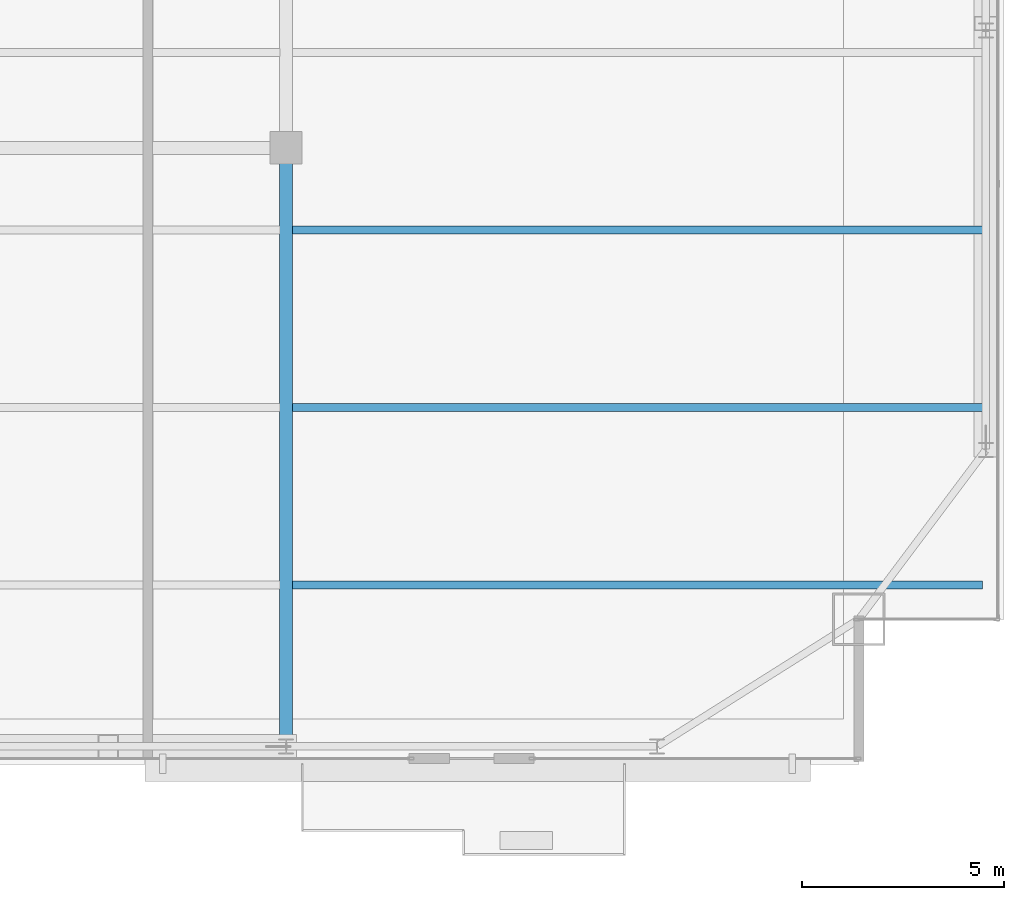
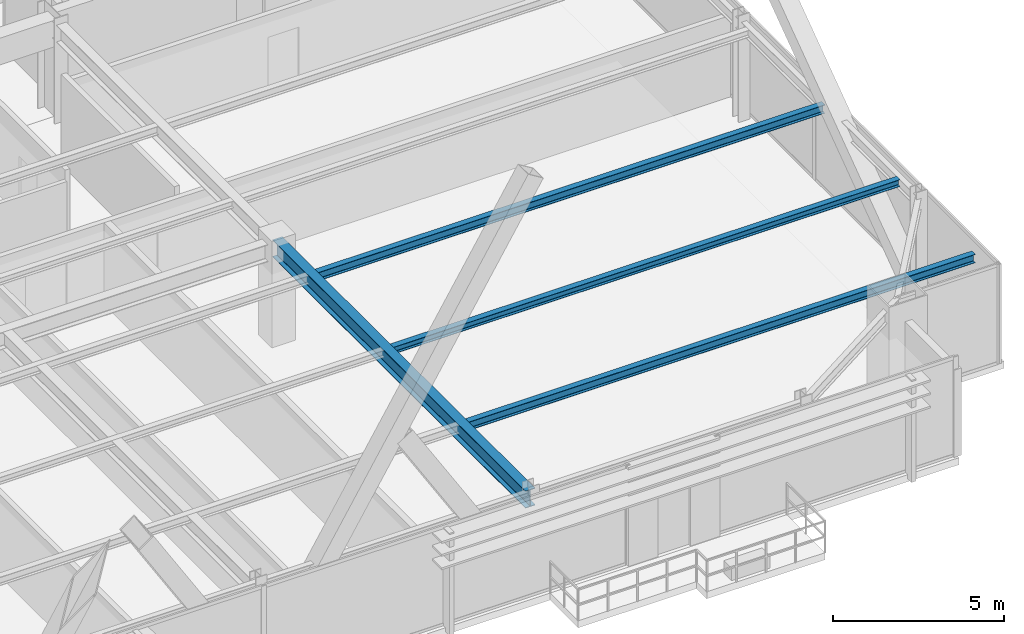
# One storey, part 15 of 34: 4 beams.
"""IFC4 building model written with IfcOpenShell, lengths in metres."""

import ifcopenshell
import ifcopenshell.guid

model = None  # the IFC model being written
_history = None  # IfcOwnerHistory: only IFC2X3 demands one
_inside = {}  # id of a spatial element -> (the spatial element, [elements in it])
_under = {}  # id of a project, library or spatial element -> (it, [spatial elements below it])
_declared = {}  # id of a project -> (the project, [libraries it declares])
_typed = {}  # id of a type object -> (the type object, [elements of that type])
_made_of = {}  # id of a material, layer set ... -> (it, [elements and type objects made of it])


def new_model(schema):
    """Start an empty IFC model of exactly this schema.

    Asked for "IFC4X3", IfcOpenShell would pick the latest addendum, in which some entities
    have other attributes; the version numbers below select the first issue.
    IFC2X3 requires an IfcOwnerHistory on every rooted entity: one is made here for all.
    """
    global model, _history
    if schema == "IFC4X3":
        model = ifcopenshell.file(schema_version=(4, 3, 0, 0))
    else:
        model = ifcopenshell.file(schema=schema)
    _inside.clear()
    _under.clear()
    _declared.clear()
    _typed.clear()
    _made_of.clear()
    _history = None
    if model.schema == "IFC2X3":
        org = make("IfcOrganization", Name="unknown")
        user = make(
            "IfcPersonAndOrganization",
            ThePerson=make("IfcPerson", FamilyName="unknown"),
            TheOrganization=org,
        )
        app = make(
            "IfcApplication",
            ApplicationDeveloper=org,
            Version="unknown",
            ApplicationFullName="unknown",
            ApplicationIdentifier="unknown",
        )
        _history = make(
            "IfcOwnerHistory",
            OwningUser=user,
            OwningApplication=app,
            ChangeAction="ADDED",
            CreationDate=0,
        )
    return model


def make(cls, **values):
    """One entity of the class cls with the attributes given. An attribute that is None is left unset."""
    return model.create_entity(
        cls, **{name: value for name, value in values.items() if value is not None}
    )


def rooted(cls, **values):
    """An entity with a GlobalId (a new one), such as an element, a storey or a relation."""
    return make(cls, GlobalId=ifcopenshell.guid.new(), OwnerHistory=_history, **values)


def si_unit(unit_type, name, prefix=None):
    """IfcSIUnit, for example si_unit("LENGTHUNIT", "METRE", prefix="MILLI")."""
    return make("IfcSIUnit", UnitType=unit_type, Prefix=prefix, Name=name)


def assignment(units):
    """IfcUnitAssignment: the units of a project."""
    return None if units is None else make("IfcUnitAssignment", Units=units)


def point(xyz):
    """IfcCartesianPoint."""
    return None if xyz is None else make("IfcCartesianPoint", Coordinates=xyz)


def direction(xyz):
    """IfcDirection."""
    return None if xyz is None else make("IfcDirection", DirectionRatios=xyz)


def frame(location, z_axis=None, x_axis=None):
    """IfcAxis2Placement3D, a coordinate frame: its origin and axes. An axis left out is left unset."""
    return make(
        "IfcAxis2Placement3D",
        Location=point(location),
        Axis=direction(z_axis),
        RefDirection=direction(x_axis),
    )


def frame_2d(location, x_axis=None):
    """IfcAxis2Placement2D, a coordinate frame in the plane: its origin and x axis."""
    return make(
        "IfcAxis2Placement2D", Location=point(location), RefDirection=direction(x_axis)
    )


def origin():
    """The frame at (0, 0, 0) with its axes left unset."""
    return frame((0.0, 0.0, 0.0))


def origin_2d():
    """The frame at (0, 0) in the plane with its x axis left unset."""
    return frame_2d((0.0, 0.0))


def place(relative_to, where):
    """IfcLocalPlacement: puts the frame where relative to a parent placement (None: the world)."""
    return make(
        "IfcLocalPlacement", PlacementRelTo=relative_to, RelativePlacement=where
    )


def context(
    kind, dimensions, precision=None, world=None, true_north=None, identifier=None
):
    """IfcGeometricRepresentationContext, for example the 3D "Model" context."""
    return make(
        "IfcGeometricRepresentationContext",
        ContextIdentifier=identifier,
        ContextType=kind,
        CoordinateSpaceDimension=dimensions,
        Precision=precision,
        WorldCoordinateSystem=world,
        TrueNorth=true_north,
    )


def subcontext(parent, identifier, kind, view, scale=None):
    """IfcGeometricRepresentationSubContext, for example "Body" below "Model"."""
    return make(
        "IfcGeometricRepresentationSubContext",
        ContextIdentifier=identifier,
        ContextType=kind,
        ParentContext=parent,
        TargetScale=scale,
        TargetView=view,
    )


def project(units=None, contexts=None):
    """IfcProject with its units and contexts."""
    return rooted(
        "IfcProject",
        Name="project",
        RepresentationContexts=contexts,
        UnitsInContext=assignment(units),
    )


def spatial(cls, under=None, at=None, **own):
    """A site, building, storey or space (cls), placed at a placement, below another one or the project."""
    s = rooted(cls, ObjectPlacement=at, **own)
    if under is not None:
        _under.setdefault(under.id(), (under, []))[1].append(s)
    return s


def profile(cls, at=None, kind="AREA", **sizes):
    """A parametric profile (cls). Its sizes go by their IFC names, for example OverallWidth=200.0."""
    return make(cls, ProfileType=kind, Position=at, **sizes)


def i_section(**sizes):
    """IfcIShapeProfileDef."""
    return profile("IfcIShapeProfileDef", **sizes)


def extrude(swept, where, along, depth):
    """IfcExtrudedAreaSolid: the profile swept, set in the frame where, extruded along a direction by depth."""
    return make(
        "IfcExtrudedAreaSolid",
        SweptArea=swept,
        Position=where,
        ExtrudedDirection=direction(along),
        Depth=depth,
    )


def shape(context_of_items, identifier, shape_type, items):
    """IfcShapeRepresentation: the items that make up one representation, for example the "Body"."""
    return make(
        "IfcShapeRepresentation",
        ContextOfItems=context_of_items,
        RepresentationIdentifier=identifier,
        RepresentationType=shape_type,
        Items=items,
    )


def source(mapping_origin, context_of_items, identifier, shape_type, items):
    """IfcRepresentationMap: a shape defined once, which mapped items show again and again."""
    return make(
        "IfcRepresentationMap",
        MappingOrigin=mapping_origin,
        MappedRepresentation=shape(context_of_items, identifier, shape_type, items),
    )


def transform(
    local_origin,
    x_axis=None,
    y_axis=None,
    z_axis=None,
    scale=None,
    scale2=None,
    scale3=None,
    uniform=True,
):
    """IfcCartesianTransformationOperator3D, or its non-uniform kind. x_axis, y_axis, z_axis: its Axis1, 2, 3."""
    if uniform:
        return make(
            "IfcCartesianTransformationOperator3D",
            Axis1=direction(x_axis),
            Axis2=direction(y_axis),
            LocalOrigin=point(local_origin),
            Scale=scale,
            Axis3=direction(z_axis),
        )
    return make(
        "IfcCartesianTransformationOperator3DnonUniform",
        Axis1=direction(x_axis),
        Axis2=direction(y_axis),
        LocalOrigin=point(local_origin),
        Scale=scale,
        Axis3=direction(z_axis),
        Scale2=scale2,
        Scale3=scale3,
    )


def mapped(mapping_source, mapping_target):
    """IfcMappedItem: shows the shape of a source again, moved by a transform."""
    return make(
        "IfcMappedItem", MappingSource=mapping_source, MappingTarget=mapping_target
    )


def material(Name=None, Category=None):
    """IfcMaterial."""
    return make("IfcMaterial", Name=Name, Category=Category)


def material_profile(
    of_material, cross_section, Name=None, Category=None, Priority=None
):
    """IfcMaterialProfile: a cross section and its material."""
    return make(
        "IfcMaterialProfile",
        Name=Name,
        Material=of_material,
        Profile=cross_section,
        Priority=Priority,
        Category=Category,
    )


def profile_set(profiles, Name=None, composite=None):
    """IfcMaterialProfileSet."""
    return make(
        "IfcMaterialProfileSet",
        Name=Name,
        MaterialProfiles=profiles,
        CompositeProfile=composite,
    )


def made_of(thing, what):
    """Note that an element or type object is made of a material, layer set ...; save() writes the relation."""
    if what is not None:
        _made_of.setdefault(what.id(), (what, []))[1].append(thing)
    return thing


def type_object(cls, material=None, **own):
    """A type object (cls), such as IfcWallType, which elements share."""
    return made_of(rooted(cls, **own), material)


def type_shapes(of_type, sources):
    """Give a type object the sources (RepresentationMaps) that its elements show as mapped items."""
    of_type.RepresentationMaps = sources


def element(
    cls,
    number,
    at=None,
    inside=None,
    cuts=None,
    type_object=None,
    material=None,
    context=None,
    identifier="Body",
    shape_type=None,
    held_by="IfcProductDefinitionShape",
    body=None,
    shapes=None,
    **own,
):
    """One element of the class cls, such as IfcWall. Its Tag is "e" and its number.

    at: its placement. inside: the storey or other place that contains it. cuts: it is an
    opening in that element (IfcRelVoidsElement). A single representation is given by context,
    identifier, shape_type and body (its items); several are given by shapes. held_by: the class
    of the entity that holds the representations. save() writes the other relations.
    """
    e = rooted(cls, Tag="e%d" % number, ObjectPlacement=at, **own)
    if body is not None:
        shapes = [shape(context, identifier, shape_type, body)]
    if shapes is not None:
        e.Representation = make(held_by, Representations=shapes)
    if inside is not None:
        _inside.setdefault(inside.id(), (inside, []))[1].append(e)
    if cuts is not None:
        rooted(
            "IfcRelVoidsElement", RelatingBuildingElement=cuts, RelatedOpeningElement=e
        )
    if type_object is not None:
        _typed.setdefault(type_object.id(), (type_object, []))[1].append(e)
    return made_of(e, material)


def aggregate(whole, parts):
    """IfcRelAggregates: a whole, such as a stair, and the parts it consists of."""
    return rooted("IfcRelAggregates", RelatingObject=whole, RelatedObjects=parts)


def save(model, path):
    """Write the relations noted so far, then the file.

    IfcRelAggregates (storeys below a building ...), IfcRelContainedInSpatialStructure (elements
    in a storey), IfcRelDefinesByType, IfcRelAssociatesMaterial and IfcRelDeclares: one each for
    every whole, place, type object, material and project.
    """
    for whole, parts in _under.values():
        aggregate(whole, parts)
    for where, things in _inside.values():
        rooted(
            "IfcRelContainedInSpatialStructure",
            RelatedElements=things,
            RelatingStructure=where,
        )
    for kind, things in _typed.values():
        rooted("IfcRelDefinesByType", RelatedObjects=things, RelatingType=kind)
    for what, things in _made_of.values():
        rooted("IfcRelAssociatesMaterial", RelatedObjects=things, RelatingMaterial=what)
    for by, libraries in _declared.values():
        rooted("IfcRelDeclares", RelatingContext=by, RelatedDefinitions=libraries)
    model.write(path)


model = new_model("IFC4")

# Units and contexts
model_context = context("Model", 3, precision=1e-05, world=origin(), true_north=direction((0.0, 1.0)))
body_context = subcontext(model_context, "Body", "Model", "MODEL_VIEW")
ifc_project = project(units=[si_unit("LENGTHUNIT", "METRE"), si_unit("AREAUNIT", "SQUARE_METRE"), si_unit("VOLUMEUNIT", "CUBIC_METRE"), si_unit("PLANEANGLEUNIT", "RADIAN"), si_unit("MASSUNIT", "GRAM", prefix="KILO")], contexts=[model_context])

# Site, building, storey
site_placement = place(None, origin())
site = spatial("IfcSite", under=ifc_project, at=site_placement, CompositionType="ELEMENT")
building_placement = place(site_placement, origin())
building = spatial("IfcBuilding", under=site, at=building_placement, Name="Varnel Quay Broadcast Tower", CompositionType="ELEMENT")
storey_placement = place(building_placement, frame((0.0, 0.0, 161.0)))
storey = spatial("IfcBuildingStorey", under=building, at=storey_placement, Name="L39", CompositionType="ELEMENT", Elevation=161.0)

# Beams
ifc_material = material(Name="Structural Steel CSA G40.21 350W", Category="steel")
ifc_material_profile_1 = material_profile(ifc_material, i_section(OverallWidth=0.324951171875, OverallDepth=0.615966796875, WebThickness=0.013916015625, FlangeThickness=0.021484375, FilletRadius=0.01611328125, at=origin_2d()), Name="W610X174")
ifc_profile_set_1 = profile_set([ifc_material_profile_1], Name="Structural Steel CSA G40.21 350W")
beam_type_1 = type_object("IfcBeamType", Name="Girder_W610X174", PredefinedType="BEAM", material=ifc_profile_set_1)
shared_shape_1 = source(origin(), body_context, "Body", "SweptSolid", [
    extrude(i_section(OverallWidth=0.324951171875, OverallDepth=0.615966796875, WebThickness=0.013916015625, FlangeThickness=0.021484375, FilletRadius=0.01611328125, at=origin_2d()), origin(), (0.0, 0.0, 1.0), 14.800048828125),
])
type_shapes(beam_type_1, [shared_shape_1])
beam_1_placement = place(storey_placement, frame((43.199951171875, 7.669921875, 3.241943359375), z_axis=(0.0, 1.0, 0.0), x_axis=(-1.0, 0.0, 0.0)))
element("IfcBeam", 1, at=beam_1_placement, inside=storey, type_object=beam_type_1, Name="L39 Primary Girder TC-S4-IC-02", PredefinedType="BEAM", context=body_context, shape_type="MappedRepresentation", body=[
    mapped(shared_shape_1, transform((0.0, 0.0, 0.0), x_axis=(1.0, 0.0, 0.0), y_axis=(0.0, 1.0, 0.0), z_axis=(0.0, 0.0, 1.0), scale=1.0)),
])
ifc_material_profile_2 = material_profile(ifc_material, i_section(OverallWidth=0.202880859375, OverallDepth=0.302978515625, WebThickness=0.007568359375, FlangeThickness=0.01318359375, FilletRadius=0.011962890625, at=origin_2d()), Name="W310X60")
ifc_profile_set_2 = profile_set([ifc_material_profile_2], Name="Structural Steel CSA G40.21 350W")
beam_type_2 = type_object("IfcBeamType", Name="Beam_W310X60", PredefinedType="JOIST", material=ifc_profile_set_2)
shared_shape_2 = source(origin(), body_context, "Body", "SweptSolid", [
    extrude(i_section(OverallWidth=0.202880859375, OverallDepth=0.302978515625, WebThickness=0.007568359375, FlangeThickness=0.01318359375, FilletRadius=0.011962890625, at=origin_2d()), origin(), (0.0, 0.0, 1.0), 17.107177734375),
])
type_shapes(beam_type_2, [shared_shape_2])
for number, where, z_axis, x_axis, name in (
    (2, (43.357421875, 11.64990234375, 3.3984375), (1.0, 0.0, 0.0), (0.0, 1.0, 0.0), "L39 East Floor Joist 1"),
    (3, (43.357421875, 20.449951171875, 3.3984375), (1.0, 0.0, 0.0), (0.0, 1.0, 0.0), "L39 East Floor Joist 3"),
):
    element("IfcBeam", number, at=place(storey_placement, frame(where, z_axis=z_axis, x_axis=x_axis)), inside=storey, type_object=beam_type_2, Name=name, PredefinedType="JOIST", context=body_context, shape_type="MappedRepresentation", body=[
        mapped(shared_shape_2, transform((0.0, 0.0, 0.0), x_axis=(1.0, 0.0, 0.0), y_axis=(0.0, 1.0, 0.0), z_axis=(0.0, 0.0, 1.0), scale=1.0)),
    ])
ifc_material_profile_3 = material_profile(ifc_material, i_section(OverallWidth=0.201904296875, OverallDepth=0.2470703125, WebThickness=0.00732421875, FlangeThickness=0.010986328125, FilletRadius=0.010986328125, at=origin_2d()), Name="W250X49")
ifc_profile_set_3 = profile_set([ifc_material_profile_3], Name="Structural Steel CSA G40.21 350W")
beam_type_3 = type_object("IfcBeamType", Name="Beam_W250X49", PredefinedType="JOIST", material=ifc_profile_set_3)
shared_shape_3 = source(origin(), body_context, "Body", "SweptSolid", [
    extrude(i_section(OverallWidth=0.201904296875, OverallDepth=0.2470703125, WebThickness=0.00732421875, FlangeThickness=0.010986328125, FilletRadius=0.010986328125, at=origin_2d()), origin(), (0.0, 0.0, 1.0), 17.107177734375),
])
type_shapes(beam_type_3, [shared_shape_3])
beam_2_placement = place(storey_placement, frame((43.357421875, 16.050048828125, 3.426513671875), z_axis=(1.0, 0.0, 0.0), x_axis=(0.0, 1.0, 0.0)))
element("IfcBeam", 4, at=beam_2_placement, inside=storey, type_object=beam_type_3, Name="L39 East Floor Joist 2", PredefinedType="JOIST", context=body_context, shape_type="MappedRepresentation", body=[
    mapped(shared_shape_3, transform((0.0, 0.0, 0.0), x_axis=(1.0, 0.0, 0.0), y_axis=(0.0, 1.0, 0.0), z_axis=(0.0, 0.0, 1.0), scale=1.0)),
])

save(model, "model.ifc")
